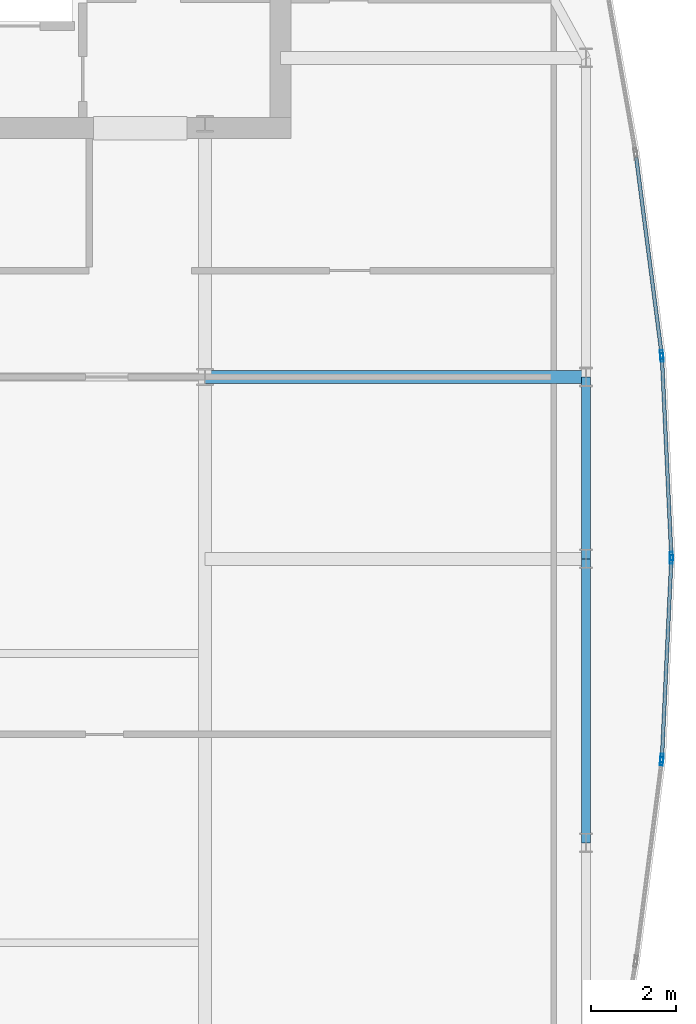
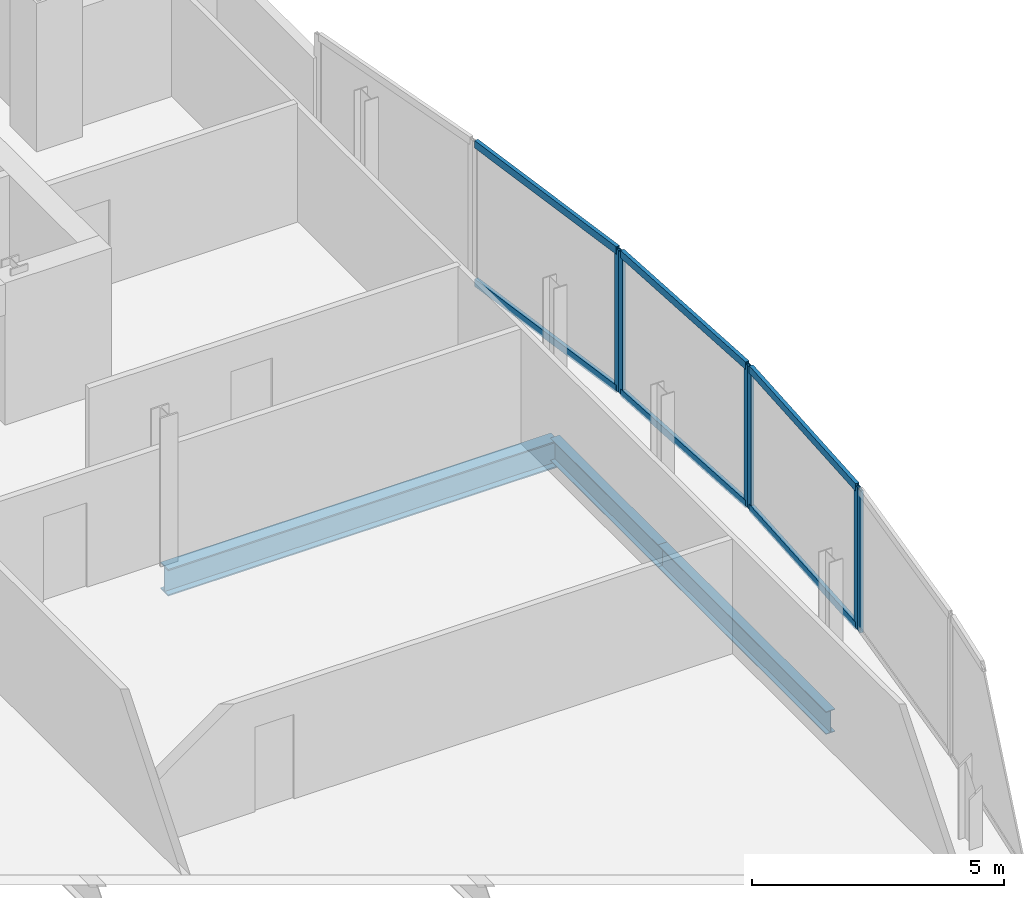
# One storey, part 18 of 30: 12 members, 3 beams, 4 elements without a shape of their own.
"""IFC4 building model written with IfcOpenShell, lengths in metres."""

from ifc_helpers import new_model, si_unit, direction, frame, origin, origin_2d, place, context, subcontext, project, spatial, hollow_rectangle, i_section, extrude, material, material_profile, profile_set, type_object, element, aggregate, save


model = new_model("IFC4")

# Units and contexts
model_context = context("Model", 3, precision=1e-05, world=origin(), true_north=direction((0.0, 1.0)))
body_context = subcontext(model_context, "Body", "Model", "MODEL_VIEW")
ifc_project = project(units=[si_unit("LENGTHUNIT", "METRE"), si_unit("AREAUNIT", "SQUARE_METRE"), si_unit("VOLUMEUNIT", "CUBIC_METRE"), si_unit("PLANEANGLEUNIT", "RADIAN"), si_unit("MASSUNIT", "GRAM", prefix="KILO")], contexts=[model_context])

# Site, building, storey
site_placement = place(None, origin())
site = spatial("IfcSite", under=ifc_project, at=site_placement, CompositionType="ELEMENT")
building_placement = place(site_placement, origin())
building = spatial("IfcBuilding", under=site, at=building_placement, Name="Khoronbel Lancet Exchange", CompositionType="ELEMENT")
storey_placement = place(building_placement, frame((0.0, 0.0, 277.0)))
storey = spatial("IfcBuildingStorey", under=building, at=storey_placement, Name="L71", CompositionType="ELEMENT", Elevation=277.0)

# Beams
ifc_material_1 = material(Name="Steel S355", Category="steel")
ifc_material_profile_1 = material_profile(ifc_material_1, i_section(OverallWidth=0.300048828125, OverallDepth=0.64990234375, WebThickness=0.01611328125, FlangeThickness=0.031005859375, at=origin_2d()), Name="HEB 650")
ifc_profile_set_1 = profile_set([ifc_material_profile_1], Name="Steel S355")
beam_type_1 = type_object("IfcBeamType", Name="BM-BG4", PredefinedType="BEAM", material=ifc_profile_set_1)
beam_1_placement = place(storey_placement, frame((54.675048828125, 35.699951171875, -0.485107421875), z_axis=(1.0, 0.0, 0.0), x_axis=(0.0, 1.0, 0.0)))
element("IfcBeam", 1, at=beam_1_placement, inside=storey, type_object=beam_type_1, Name="Level L71 east lens tie girder LG4E", PredefinedType="BEAM", context=body_context, shape_type="SweptSolid", body=[
    extrude(i_section(OverallWidth=0.300048828125, OverallDepth=0.64990234375, WebThickness=0.01611328125, FlangeThickness=0.031005859375, at=origin_2d()), origin(), (0.0, 0.0, 1.0), 8.954833984375),
])
ifc_material_profile_2 = material_profile(ifc_material_1, i_section(OverallWidth=0.2099609375, OverallDepth=0.550048828125, WebThickness=0.010986328125, FlangeThickness=0.01708984375, at=origin_2d()), Name="IPE 550")
ifc_profile_set_2 = profile_set([ifc_material_profile_2], Name="Steel S355")
beam_type_2 = type_object("IfcBeamType", Name="BM-BSP3", PredefinedType="SPANDREL", material=ifc_profile_set_2)
beam_2_placement = place(storey_placement, frame((63.6298828125, 24.75, -0.43505859375), z_axis=(0.0, 1.0, 0.0), x_axis=(-1.0, 0.0, 0.0)))
element("IfcBeam", 2, at=beam_2_placement, inside=storey, type_object=beam_type_2, Name="Level L71 perimeter spandrel beam SP12", PredefinedType="SPANDREL", context=body_context, shape_type="SweptSolid", body=[
    extrude(i_section(OverallWidth=0.2099609375, OverallDepth=0.550048828125, WebThickness=0.010986328125, FlangeThickness=0.01708984375, at=origin_2d()), origin(), (0.0, 0.0, 1.0), 6.675048828125),
])
beam_3_placement = place(storey_placement, frame((63.6298828125, 31.425048828125, -0.43505859375), z_axis=(0.0, 1.0, 0.0), x_axis=(-1.0, 0.0, 0.0)))
element("IfcBeam", 3, at=beam_3_placement, inside=storey, type_object=beam_type_2, Name="Level L71 perimeter spandrel beam SP13", PredefinedType="SPANDREL", context=body_context, shape_type="SweptSolid", body=[
    extrude(i_section(OverallWidth=0.2099609375, OverallDepth=0.550048828125, WebThickness=0.010986328125, FlangeThickness=0.01708984375, at=origin_2d()), origin(), (0.0, 0.0, 1.0), 4.27490234375),
])

# Curtain wall, member
ifc_material_2 = material(Name="Low-E Solar Control Insulating Glass", Category="glass")
curtain_wall_type = type_object("IfcCurtainWallType", Name="CW-4", PredefinedType="NOTDEFINED", material=ifc_material_2)
curtain_wall_1_placement = place(storey_placement, origin())
curtain_wall_1 = element("IfcCurtainWall", 4, at=curtain_wall_1_placement, inside=storey, type_object=curtain_wall_type, Name="Unitised curtain wall CW-L71-E18", PredefinedType="NOTDEFINED")
ifc_material_3 = material(Name="Bronze-Anodised Aluminium 6063-T6", Category="aluminium")
ifc_material_profile_3 = material_profile(ifc_material_3, hollow_rectangle(XDim=0.074951171875, YDim=0.199951171875, WallThickness=0.0048828125, at=origin_2d()), Name="ALU MULLION 75x200")
ifc_profile_set_3 = profile_set([ifc_material_profile_3], Name="Bronze-Anodised Aluminium 6063-T6")
member_type_1 = type_object("IfcMemberType", Name="MEM-CWM2", PredefinedType="MULLION", material=ifc_profile_set_3)
member_1_placement = place(storey_placement, frame((65.406982421875, 36.229248046875, 0.0), z_axis=(0.0, 0.0, 1.0), x_axis=(0.991761083348, 0.12810134096, 0.0)))
member_1 = element("IfcMember", 5, at=member_1_placement, type_object=member_type_1, Name="CW4 mullion 2", PredefinedType="MULLION", context=body_context, shape_type="SweptSolid", body=[
    extrude(hollow_rectangle(XDim=0.074951171875, YDim=0.199951171875, WallThickness=0.0048828125, at=origin_2d()), origin(), (0.0, 0.0, 1.0), 3.43994140625),
])

# Curtain wall, members
curtain_wall_2_placement = place(storey_placement, origin())
curtain_wall_2 = element("IfcCurtainWall", 6, at=curtain_wall_2_placement, inside=storey, type_object=curtain_wall_type, Name="Unitised curtain wall CW-L71-E19", PredefinedType="NOTDEFINED")
member_2_placement = place(storey_placement, frame((65.41357421875, 36.154541015625, 0.0), z_axis=(0.0, 0.0, 1.0), x_axis=(0.998885229107, 0.047204862799, 0.0)))
member_2 = element("IfcMember", 7, at=member_2_placement, type_object=member_type_1, Name="CW4 mullion 1", PredefinedType="MULLION", context=body_context, shape_type="SweptSolid", body=[
    extrude(hollow_rectangle(XDim=0.074951171875, YDim=0.199951171875, WallThickness=0.0048828125, at=origin_2d()), origin(), (0.0, 0.0, 1.0), 3.43994140625),
])
member_3_placement = place(storey_placement, frame((65.634033203125, 31.487548828125, 0.0), z_axis=(0.0, 0.0, 1.0), x_axis=(0.998885229107, 0.047204862799, 0.0)))
member_3 = element("IfcMember", 8, at=member_3_placement, type_object=member_type_1, Name="CW4 mullion 2", PredefinedType="MULLION", context=body_context, shape_type="SweptSolid", body=[
    extrude(hollow_rectangle(XDim=0.074951171875, YDim=0.199951171875, WallThickness=0.0048828125, at=origin_2d()), origin(), (0.0, 0.0, 1.0), 3.43994140625),
])

curtain_wall_3_placement = place(storey_placement, origin())
curtain_wall_3 = element("IfcCurtainWall", 9, at=curtain_wall_3_placement, inside=storey, type_object=curtain_wall_type, Name="Unitised curtain wall CW-L71-E20", PredefinedType="NOTDEFINED")
member_4_placement = place(storey_placement, frame((65.634033203125, 31.41259765625, 0.0), z_axis=(0.0, 0.0, 1.0), x_axis=(0.998885229107, -0.047204862799, 0.0)))
member_4 = element("IfcMember", 10, at=member_4_placement, type_object=member_type_1, Name="CW4 mullion 1", PredefinedType="MULLION", context=body_context, shape_type="SweptSolid", body=[
    extrude(hollow_rectangle(XDim=0.074951171875, YDim=0.199951171875, WallThickness=0.0048828125, at=origin_2d()), origin(), (0.0, 0.0, 1.0), 3.43994140625),
])
member_5_placement = place(storey_placement, frame((65.41357421875, 26.745361328125, 0.0), z_axis=(0.0, 0.0, 1.0), x_axis=(0.998885229107, -0.047204862799, 0.0)))
member_5 = element("IfcMember", 11, at=member_5_placement, type_object=member_type_1, Name="CW4 mullion 2", PredefinedType="MULLION", context=body_context, shape_type="SweptSolid", body=[
    extrude(hollow_rectangle(XDim=0.074951171875, YDim=0.199951171875, WallThickness=0.0048828125, at=origin_2d()), origin(), (0.0, 0.0, 1.0), 3.43994140625),
])

# Curtain wall, member
curtain_wall_4_placement = place(storey_placement, origin())
curtain_wall_4 = element("IfcCurtainWall", 12, at=curtain_wall_4_placement, inside=storey, type_object=curtain_wall_type, Name="Unitised curtain wall CW-L71-E21", PredefinedType="NOTDEFINED")
member_6_placement = place(storey_placement, frame((65.406982421875, 26.670654296875, 0.0), z_axis=(0.0, 0.0, 1.0), x_axis=(0.991761083348, -0.12810134096, 0.0)))
member_6 = element("IfcMember", 13, at=member_6_placement, type_object=member_type_1, Name="CW4 mullion 1", PredefinedType="MULLION", context=body_context, shape_type="SweptSolid", body=[
    extrude(hollow_rectangle(XDim=0.074951171875, YDim=0.199951171875, WallThickness=0.0048828125, at=origin_2d()), origin(), (0.0, 0.0, 1.0), 3.43994140625),
])
aggregate(curtain_wall_4, [member_6])

# Member
ifc_material_profile_4 = material_profile(ifc_material_3, hollow_rectangle(XDim=0.0849609375, YDim=0.179931640625, WallThickness=0.0048828125, at=origin_2d()), Name="ALU TRANSOM 85x180")
ifc_profile_set_4 = profile_set([ifc_material_profile_4], Name="Bronze-Anodised Aluminium 6063-T6")
member_type_2 = type_object("IfcMemberType", Name="MEM-CWT1", PredefinedType="USERDEFINED", material=ifc_profile_set_4)
member_7_placement = place(storey_placement, frame((64.80859375, 40.862060546875, 0.04248046875), z_axis=(0.128086691458, -0.991762975449, 0.0), x_axis=(0.991762975449, 0.128086691458, 0.0)))
member_7 = element("IfcMember", 14, at=member_7_placement, type_object=member_type_2, Name="CW4 transom 1.1", ObjectType="TRANSOM", PredefinedType="USERDEFINED", context=body_context, shape_type="SweptSolid", body=[
    extrude(hollow_rectangle(XDim=0.0849609375, YDim=0.179931640625, WallThickness=0.0048828125, at=origin_2d()), origin(), (0.0, 0.0, 1.0), 4.633544921875),
])

member_8_placement = place(storey_placement, frame((64.80859375, 40.862060546875, 3.3974609375), z_axis=(0.128086691458, -0.991762975449, 0.0), x_axis=(0.991762975449, 0.128086691458, 0.0)))
member_8 = element("IfcMember", 15, at=member_8_placement, type_object=member_type_2, Name="CW4 transom 1.2", ObjectType="TRANSOM", PredefinedType="USERDEFINED", context=body_context, shape_type="SweptSolid", body=[
    extrude(hollow_rectangle(XDim=0.0849609375, YDim=0.179931640625, WallThickness=0.0048828125, at=origin_2d()), origin(), (0.0, 0.0, 1.0), 4.633544921875),
])

aggregate(curtain_wall_1, [member_1, member_7, member_8])

member_9_placement = place(storey_placement, frame((65.415283203125, 36.1171875, 0.04248046875), z_axis=(0.047209398093, -0.99888501477, 0.0), x_axis=(0.99888501477, 0.047209398093, 0.0)))
member_9 = element("IfcMember", 16, at=member_9_placement, type_object=member_type_2, Name="CW4 transom 1.1", ObjectType="TRANSOM", PredefinedType="USERDEFINED", context=body_context, shape_type="SweptSolid", body=[
    extrude(hollow_rectangle(XDim=0.0849609375, YDim=0.179931640625, WallThickness=0.0048828125, at=origin_2d()), origin(), (0.0, 0.0, 1.0), 4.597412109375),
])

member_10_placement = place(storey_placement, frame((65.415283203125, 36.1171875, 3.3974609375), z_axis=(0.047209398093, -0.99888501477, 0.0), x_axis=(0.99888501477, 0.047209398093, 0.0)))
member_10 = element("IfcMember", 17, at=member_10_placement, type_object=member_type_2, Name="CW4 transom 1.2", ObjectType="TRANSOM", PredefinedType="USERDEFINED", context=body_context, shape_type="SweptSolid", body=[
    extrude(hollow_rectangle(XDim=0.0849609375, YDim=0.179931640625, WallThickness=0.0048828125, at=origin_2d()), origin(), (0.0, 0.0, 1.0), 4.597412109375),
])

aggregate(curtain_wall_2, [member_2, member_3, member_9, member_10])

member_11_placement = place(storey_placement, frame((65.63232421875, 31.375, 0.04248046875), z_axis=(-0.047209398093, -0.99888501477, 0.0), x_axis=(0.99888501477, -0.047209398093, 0.0)))
member_11 = element("IfcMember", 18, at=member_11_placement, type_object=member_type_2, Name="CW4 transom 1.1", ObjectType="TRANSOM", PredefinedType="USERDEFINED", context=body_context, shape_type="SweptSolid", body=[
    extrude(hollow_rectangle(XDim=0.0849609375, YDim=0.179931640625, WallThickness=0.0048828125, at=origin_2d()), origin(), (0.0, 0.0, 1.0), 4.597412109375),
])

member_12_placement = place(storey_placement, frame((65.63232421875, 31.375, 3.3974609375), z_axis=(-0.047209398093, -0.99888501477, 0.0), x_axis=(0.99888501477, -0.047209398093, 0.0)))
member_12 = element("IfcMember", 19, at=member_12_placement, type_object=member_type_2, Name="CW4 transom 1.2", ObjectType="TRANSOM", PredefinedType="USERDEFINED", context=body_context, shape_type="SweptSolid", body=[
    extrude(hollow_rectangle(XDim=0.0849609375, YDim=0.179931640625, WallThickness=0.0048828125, at=origin_2d()), origin(), (0.0, 0.0, 1.0), 4.597412109375),
])

aggregate(curtain_wall_3, [member_4, member_5, member_11, member_12])

save(model, "model.ifc")
